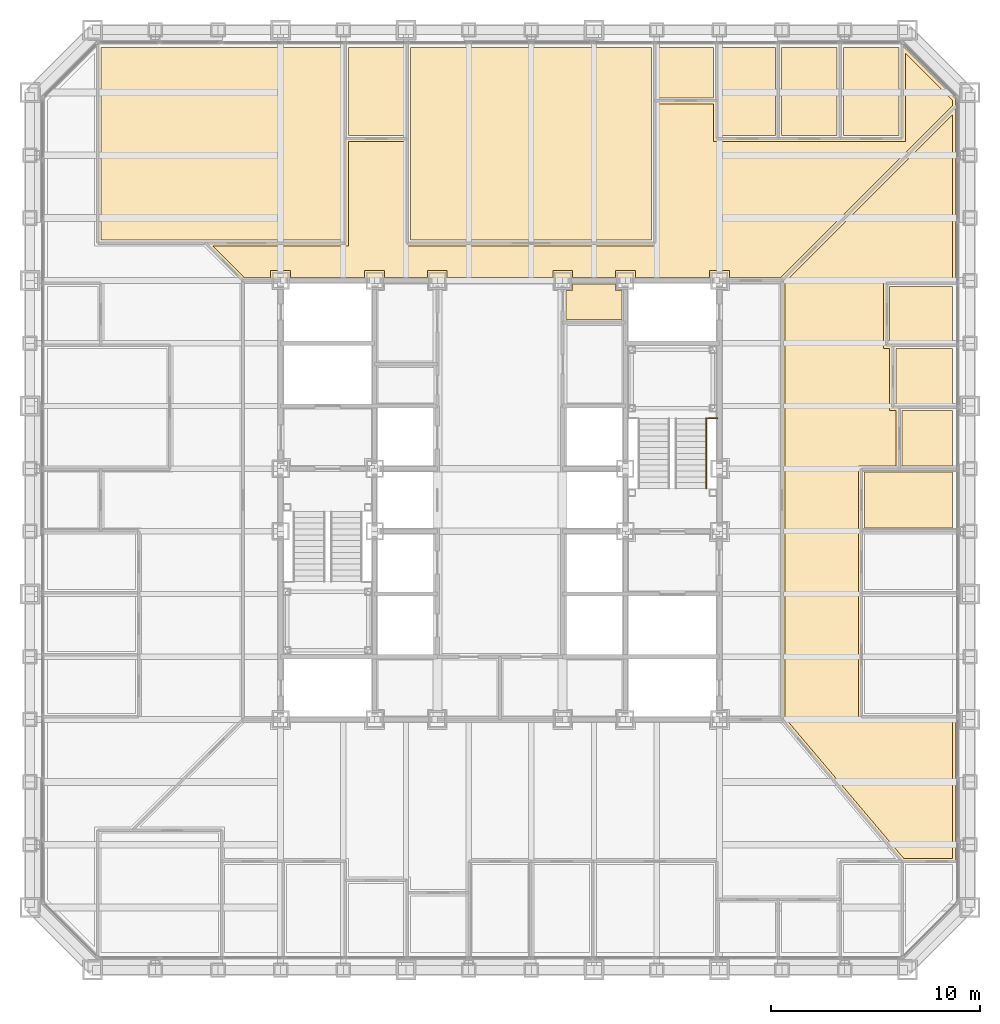
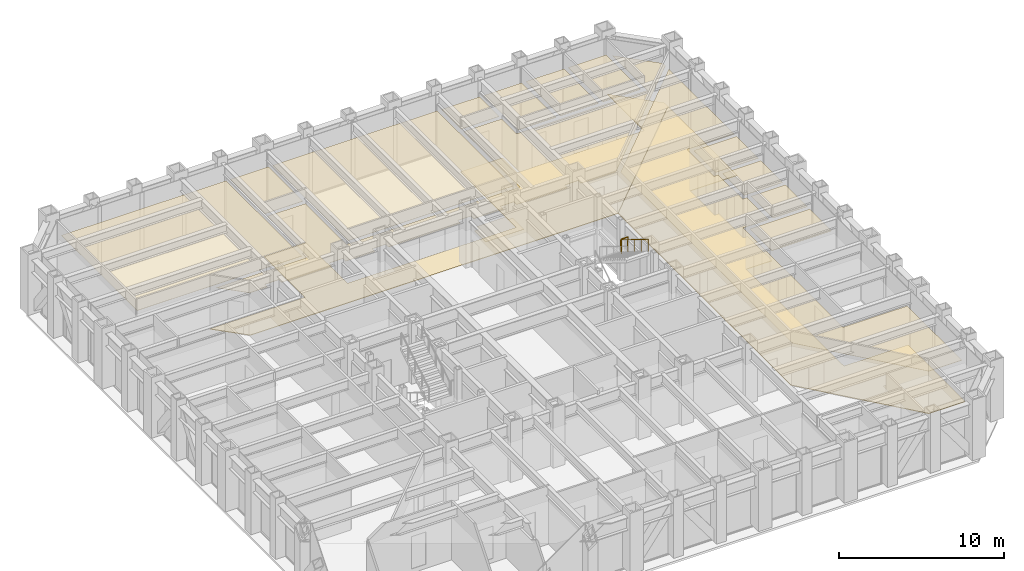
# One storey, part 16 of 16: 16 coverings, 2 railings.
"""IFC4 building model written with IfcOpenShell, lengths in metres."""

from ifc_helpers import new_model, si_unit, direction, frame, origin, origin_2d, place, context, subcontext, project, spatial, polyline, circle, outline, extrude, material, layer, layer_set, type_object, element, save


model = new_model("IFC4")

# Units and contexts
model_context = context("Model", 3, precision=1e-05, world=origin(), true_north=direction((0.0, 1.0)))
body_context = subcontext(model_context, "Body", "Model", "MODEL_VIEW")
ifc_project = project(units=[si_unit("LENGTHUNIT", "METRE"), si_unit("AREAUNIT", "SQUARE_METRE"), si_unit("VOLUMEUNIT", "CUBIC_METRE"), si_unit("PLANEANGLEUNIT", "RADIAN"), si_unit("MASSUNIT", "GRAM", prefix="KILO")], contexts=[model_context])

# Site, building, storey
site_placement = place(None, origin())
site = spatial("IfcSite", under=ifc_project, at=site_placement, CompositionType="ELEMENT")
building_placement = place(site_placement, origin())
building = spatial("IfcBuilding", under=site, at=building_placement, Name="Chuquiago Exchange Tower", CompositionType="ELEMENT")
storey_placement = place(building_placement, frame((0.0, 0.0, 33.300048828125)))
storey = spatial("IfcBuildingStorey", under=building, at=storey_placement, Name="L06", CompositionType="ELEMENT", Elevation=33.300048828125)

# Coverings
ifc_material_1 = material(Name="Mineral fibre tile, 600 x 600, on pale metal grid", Category="mineral fibre")
ifc_layer_1 = layer(ifc_material_1, 0.02001953125)
ifc_layer_set_1 = layer_set([ifc_layer_1], Name="CL1 suspended tile ceiling 20")
covering_type_1 = type_object("IfcCoveringType", Name="CL1 suspended tile ceiling 20", PredefinedType="CEILING", material=ifc_layer_set_1)
covering_1_placement = place(storey_placement, frame((0.0, 0.0, 3.0)))
element("IfcCovering", 1, at=covering_1_placement, inside=storey, type_object=covering_type_1, Name="Ceiling Office", PredefinedType="CEILING", context=body_context, shape_type="SweptSolid", body=[
    extrude(outline(polyline([(39.949951171875, 21.169189453125), (39.949951171875, 23.830810546875), (44.14990234375, 23.830810546875), (44.14990234375, 21.169189453125), (39.949951171875, 21.169189453125)])), origin(), (0.0, 0.0, 1.0), 0.02001953125),
])
covering_2_placement = place(storey_placement, frame((0.0, 0.0, 3.0)))
element("IfcCovering", 2, at=covering_2_placement, inside=storey, type_object=covering_type_1, Name="Ceiling Focus room", PredefinedType="CEILING", context=body_context, shape_type="SweptSolid", body=[
    extrude(outline(polyline([(41.75, 24.130859375), (41.75, 26.79248046875), (44.14990234375, 26.79248046875), (44.14990234375, 24.130859375), (41.75, 24.130859375)])), origin(), (0.0, 0.0, 1.0), 0.02001953125),
])
covering_3_placement = place(storey_placement, frame((0.0, 0.0, 3.0)))
element("IfcCovering", 3, at=covering_3_placement, inside=storey, type_object=covering_type_1, Name="Ceiling Store", PredefinedType="CEILING", context=body_context, shape_type="SweptSolid", body=[
    extrude(outline(polyline([(41.449951171875, 27.092529296875), (41.449951171875, 29.75439453125), (44.14990234375, 29.75439453125), (44.14990234375, 27.092529296875), (41.449951171875, 27.092529296875)])), origin(), (0.0, 0.0, 1.0), 0.02001953125),
])
covering_4_placement = place(storey_placement, frame((0.0, 0.0, 3.0)))
element("IfcCovering", 4, at=covering_4_placement, inside=storey, type_object=covering_type_1, Name="Ceiling Pantry", PredefinedType="CEILING", context=body_context, shape_type="SweptSolid", body=[
    extrude(outline(polyline([(41.14990234375, 30.054443359375), (41.14990234375, 32.71630859375), (44.14990234375, 32.71630859375), (44.14990234375, 30.054443359375), (41.14990234375, 30.054443359375)])), origin(), (0.0, 0.0, 1.0), 0.02001953125),
])
covering_5_placement = place(storey_placement, frame((0.0, 0.0, 3.0)))
element("IfcCovering", 5, at=covering_5_placement, inside=storey, type_object=covering_type_1, Name="Ceiling Trading room", PredefinedType="CEILING", context=body_context, shape_type="SweptSolid", body=[
    extrude(outline(polyline([(14.945556640625, 44.14990234375), (14.945556640625, 34.949951171875), (3.3984375, 34.949951171875), (3.3984375, 44.14990234375), (14.945556640625, 44.14990234375)])), origin(), (0.0, 0.0, 1.0), 0.02001953125),
])
covering_6_placement = place(storey_placement, frame((0.0, 0.0, 3.0)))
element("IfcCovering", 6, at=covering_6_placement, inside=storey, type_object=covering_type_1, Name="Ceiling Office", PredefinedType="CEILING", context=body_context, shape_type="SweptSolid", body=[
    extrude(outline(polyline([(17.907470703125, 39.949951171875), (15.24560546875, 39.949951171875), (15.24560546875, 44.14990234375), (17.907470703125, 44.14990234375), (17.907470703125, 39.949951171875)])), origin(), (0.0, 0.0, 1.0), 0.02001953125),
])
covering_7_placement = place(storey_placement, frame((0.0, 0.0, 3.0)))
element("IfcCovering", 7, at=covering_7_placement, inside=storey, type_object=covering_type_1, Name="Ceiling Trading room", PredefinedType="CEILING", context=body_context, shape_type="SweptSolid", body=[
    extrude(outline(polyline([(29.75439453125, 34.949951171875), (18.20751953125, 34.949951171875), (18.20751953125, 44.14990234375), (29.75439453125, 44.14990234375), (29.75439453125, 34.949951171875)])), origin(), (0.0, 0.0, 1.0), 0.02001953125),
])
covering_8_placement = place(storey_placement, frame((0.0, 0.0, 3.0)))
element("IfcCovering", 8, at=covering_8_placement, inside=storey, type_object=covering_type_1, Name="Ceiling Focus room", PredefinedType="CEILING", context=body_context, shape_type="SweptSolid", body=[
    extrude(outline(polyline([(32.71630859375, 41.75), (30.054443359375, 41.75), (30.054443359375, 44.14990234375), (32.71630859375, 44.14990234375), (32.71630859375, 41.75)])), origin(), (0.0, 0.0, 1.0), 0.02001953125),
])
covering_9_placement = place(storey_placement, frame((0.0, 0.0, 3.0)))
element("IfcCovering", 9, at=covering_9_placement, inside=storey, type_object=covering_type_1, Name="Ceiling Office", PredefinedType="CEILING", context=body_context, shape_type="SweptSolid", body=[
    extrude(outline(polyline([(35.677978515625, 39.949951171875), (33.01611328125, 39.949951171875), (33.01611328125, 44.14990234375), (35.677978515625, 44.14990234375), (35.677978515625, 39.949951171875)])), origin(), (0.0, 0.0, 1.0), 0.02001953125),
])
covering_10_placement = place(storey_placement, frame((0.0, 0.0, 3.0)))
element("IfcCovering", 10, at=covering_10_placement, inside=storey, type_object=covering_type_1, Name="Ceiling Office", PredefinedType="CEILING", context=body_context, shape_type="SweptSolid", body=[
    extrude(outline(polyline([(38.6396484375, 39.949951171875), (35.977783203125, 39.949951171875), (35.977783203125, 44.14990234375), (38.6396484375, 44.14990234375), (38.6396484375, 39.949951171875)])), origin(), (0.0, 0.0, 1.0), 0.02001953125),
])
covering_11_placement = place(storey_placement, frame((0.0, 0.0, 3.0)))
element("IfcCovering", 11, at=covering_11_placement, inside=storey, type_object=covering_type_1, Name="Ceiling Meeting room", PredefinedType="CEILING", context=body_context, shape_type="SweptSolid", body=[
    extrude(outline(polyline([(41.6015625, 39.949951171875), (38.939697265625, 39.949951171875), (38.939697265625, 44.14990234375), (41.6015625, 44.14990234375), (41.6015625, 39.949951171875)])), origin(), (0.0, 0.0, 1.0), 0.02001953125),
])
covering_12_placement = place(storey_placement, frame((0.0, 0.0, 3.0)))
element("IfcCovering", 12, at=covering_12_placement, inside=storey, type_object=covering_type_1, Name="Ceiling Trading floor north", PredefinedType="CEILING", context=body_context, shape_type="SweptSolid", body=[
    extrude(outline(polyline([(15.24560546875, 39.64990234375), (17.907470703125, 39.64990234375), (17.907470703125, 34.64990234375), (30.054443359375, 34.64990234375), (30.054443359375, 41.449951171875), (32.71630859375, 41.449951171875), (32.71630859375, 39.64990234375), (41.901611328125, 39.64990234375), (41.901611328125, 43.896484375), (44.14990234375, 41.64794921875), (44.14990234375, 41.36279296875), (35.9375, 33.14990234375), (33.47509765625, 33.14990234375), (33.47509765625, 33.47509765625), (32.52490234375, 33.47509765625), (32.52490234375, 33.14990234375), (28.97509765625, 33.14990234375), (28.97509765625, 33.47509765625), (28.02490234375, 33.47509765625), (28.02490234375, 33.14990234375), (25.97509765625, 33.14990234375), (25.97509765625, 33.47509765625), (25.02490234375, 33.47509765625), (25.02490234375, 33.14990234375), (19.97509765625, 33.14990234375), (19.97509765625, 33.47509765625), (19.02490234375, 33.47509765625), (19.02490234375, 33.14990234375), (16.97509765625, 33.14990234375), (16.97509765625, 33.47509765625), (16.02490234375, 33.47509765625), (16.02490234375, 33.14990234375), (12.47509765625, 33.14990234375), (12.47509765625, 33.47509765625), (11.52490234375, 33.47509765625), (11.52490234375, 33.14990234375), (10.2626953125, 33.14990234375), (8.7626953125, 34.64990234375), (15.24560546875, 34.64990234375), (15.24560546875, 39.64990234375)])), origin(), (0.0, 0.0, 1.0), 0.02001953125),
])
covering_13_placement = place(storey_placement, frame((0.0, 0.0, 3.0)))
element("IfcCovering", 13, at=covering_13_placement, inside=storey, type_object=covering_type_1, Name="Ceiling Trading floor east", PredefinedType="CEILING", context=body_context, shape_type="SweptSolid", body=[
    extrude(outline(polyline([(40.85009765625, 33.01611328125), (40.85009765625, 29.75439453125), (41.14990234375, 29.75439453125), (41.14990234375, 26.79248046875), (41.449951171875, 26.79248046875), (41.449951171875, 24.130859375), (39.64990234375, 24.130859375), (39.64990234375, 11.98388671875), (44.14990234375, 11.98388671875), (44.14990234375, 5.35009765625), (41.821533203125, 5.35009765625), (36.14990234375, 12.055419921875), (36.14990234375, 32.9375), (44.14990234375, 40.937255859375), (44.14990234375, 33.01611328125), (40.85009765625, 33.01611328125)])), origin(), (0.0, 0.0, 1.0), 0.02001953125),
])
ifc_material_2 = material(Name="Moisture resistant plasterboard on metal frame", Category="gypsum")
ifc_layer_2 = layer(ifc_material_2, 0.014892578125)
ifc_layer_set_2 = layer_set([ifc_layer_2], Name="CL2 moisture resistant ceiling 15")
covering_type_2 = type_object("IfcCoveringType", Name="CL2 moisture resistant ceiling 15", PredefinedType="CEILING", material=ifc_layer_set_2)
covering_14_placement = place(storey_placement, frame((0.0, 0.0, 2.599853515625)))
element("IfcCovering", 14, at=covering_14_placement, inside=storey, type_object=covering_type_2, Name="Ceiling Staff shower room", PredefinedType="CEILING", context=body_context, shape_type="SweptSolid", body=[
    extrude(outline(polyline([(25.64990234375, 31.14990234375), (25.64990234375, 32.52490234375), (25.97509765625, 32.52490234375), (25.97509765625, 32.85009765625), (28.02490234375, 32.85009765625), (28.02490234375, 32.52490234375), (28.35009765625, 32.52490234375), (28.35009765625, 31.14990234375), (25.64990234375, 31.14990234375)])), origin(), (0.0, 0.0, 1.0), 0.01513671875),
])

# Railings
ifc_material_3 = material(Name="Pale metal guard with safety glass infill", Category="glass")
railing_type_1 = type_object("IfcRailingType", Name="GR1 guard 1100", PredefinedType="GUARDRAIL", material=ifc_material_3)
railing_1_placement = place(storey_placement, frame((32.445068359375, 26.409912109375, 2.25)))
element("IfcRailing", 15, at=railing_1_placement, inside=storey, type_object=railing_type_1, Name="Guard ST2 L06 landing 2", PredefinedType="GUARDRAIL", context=body_context, shape_type="SweptSolid", body=[
    extrude(circle(Radius=0.02392578125, at=origin_2d()), frame((0.0, 0.0, 1.076171875), z_axis=(1.0, 0.0, 0.0), x_axis=(0.0, 1.0, 0.0)), (0.0, 0.0, 1.0), 0.454833984375),
    extrude(circle(Radius=0.02099609375, at=origin_2d()), origin(), (0.0, 0.0, 1.0), 1.052001953125),
    extrude(circle(Radius=0.02099609375, at=origin_2d()), frame((0.454833984375, 0.0, 0.0)), (0.0, 0.0, 1.0), 1.052001953125),
])
ifc_material_4 = material(Name="Pale metal handrail", Category="steel")
railing_type_2 = type_object("IfcRailingType", Name="HR1 handrail 900", PredefinedType="HANDRAIL", material=ifc_material_4)
railing_2_placement = place(storey_placement, frame((32.364990234375, 26.409912109375, 2.423095703125)))
element("IfcRailing", 16, at=railing_2_placement, inside=storey, type_object=railing_type_2, Name="Handrail ST2 L06 flight 2", PredefinedType="HANDRAIL", context=body_context, shape_type="SweptSolid", body=[
    extrude(circle(Radius=0.02392578125, at=origin_2d()), frame((0.0, 0.0, 0.8759765625), z_axis=(0.0, -0.850606129759, 0.525803396734), x_axis=(1.0, 0.0, 0.0)), (0.0, 0.0, 1.0), 3.949951171875),
    extrude(circle(Radius=0.02099609375, at=origin_2d()), origin(), (0.0, 0.0, 1.0), 0.851806640625),
    extrude(circle(Radius=0.02099609375, at=origin_2d()), frame((0.0, -0.83984375, 0.519287109375)), (0.0, 0.0, 1.0), 0.851806640625),
    extrude(circle(Radius=0.02099609375, at=origin_2d()), frame((0.0, -1.679931640625, 1.03857421875)), (0.0, 0.0, 1.0), 0.851806640625),
    extrude(circle(Radius=0.02099609375, at=origin_2d()), frame((0.0, -2.52001953125, 1.5576171875)), (0.0, 0.0, 1.0), 0.851806640625),
    extrude(circle(Radius=0.02099609375, at=origin_2d()), frame((0.0, -3.35986328125, 2.076904296875)), (0.0, 0.0, 1.0), 0.851806640625),
])

# Coverings
ifc_material_5 = material(Name="Steel raised floor panel", Category="steel")
ifc_layer_3 = layer(ifc_material_5, 0.0400390625)
ifc_layer_set_3 = layer_set([ifc_layer_3], Name="RF1 raised access floor 40")
covering_type_3 = type_object("IfcCoveringType", Name="RF1 raised access floor 40", PredefinedType="FLOORING", material=ifc_layer_set_3)
covering_15_placement = place(storey_placement, frame((0.0, 0.0, -0.0400390625)))
element("IfcCovering", 17, at=covering_15_placement, inside=storey, type_object=covering_type_3, Name="Raised access floor Trading floor north", PredefinedType="FLOORING", context=body_context, shape_type="SweptSolid", body=[
    extrude(outline(polyline([(15.095703125, 34.800048828125), (15.095703125, 39.800048828125), (18.057373046875, 39.800048828125), (18.057373046875, 34.800048828125), (29.904296875, 34.800048828125), (29.904296875, 41.60009765625), (32.8662109375, 41.60009765625), (32.8662109375, 39.800048828125), (41.75146484375, 39.800048828125), (41.75146484375, 44.258544921875), (44.300048828125, 41.710205078125), (44.300048828125, 41.30078125), (35.99951171875, 33.0), (10.200439453125, 33.0), (8.400634765625, 34.800048828125), (15.095703125, 34.800048828125)])), origin(), (0.0, 0.0, 1.0), 0.0400390625),
])
covering_16_placement = place(storey_placement, frame((0.0, 0.0, -0.0400390625)))
element("IfcCovering", 18, at=covering_16_placement, inside=storey, type_object=covering_type_3, Name="Raised access floor Trading floor east", PredefinedType="FLOORING", context=body_context, shape_type="SweptSolid", body=[
    extrude(outline(polyline([(44.300048828125, 32.8662109375), (41.0, 32.8662109375), (41.0, 29.904296875), (41.300048828125, 29.904296875), (41.300048828125, 26.942626953125), (41.60009765625, 26.942626953125), (41.60009765625, 23.98095703125), (39.800048828125, 23.98095703125), (39.800048828125, 12.1337890625), (44.300048828125, 12.1337890625), (44.300048828125, 5.199951171875), (41.751953125, 5.199951171875), (36.0, 12.00048828125), (36.0, 32.99951171875), (44.300048828125, 41.29931640625), (44.300048828125, 32.8662109375)])), origin(), (0.0, 0.0, 1.0), 0.0400390625),
])

save(model, "model.ifc")
